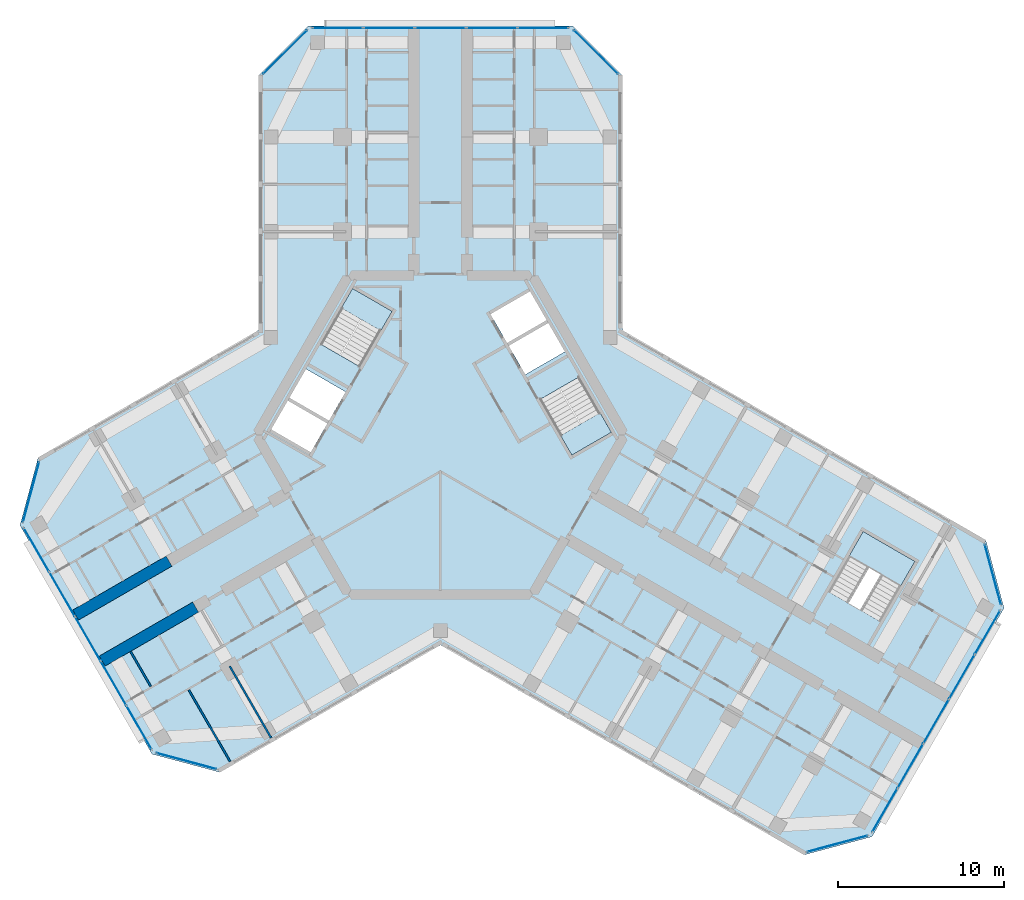
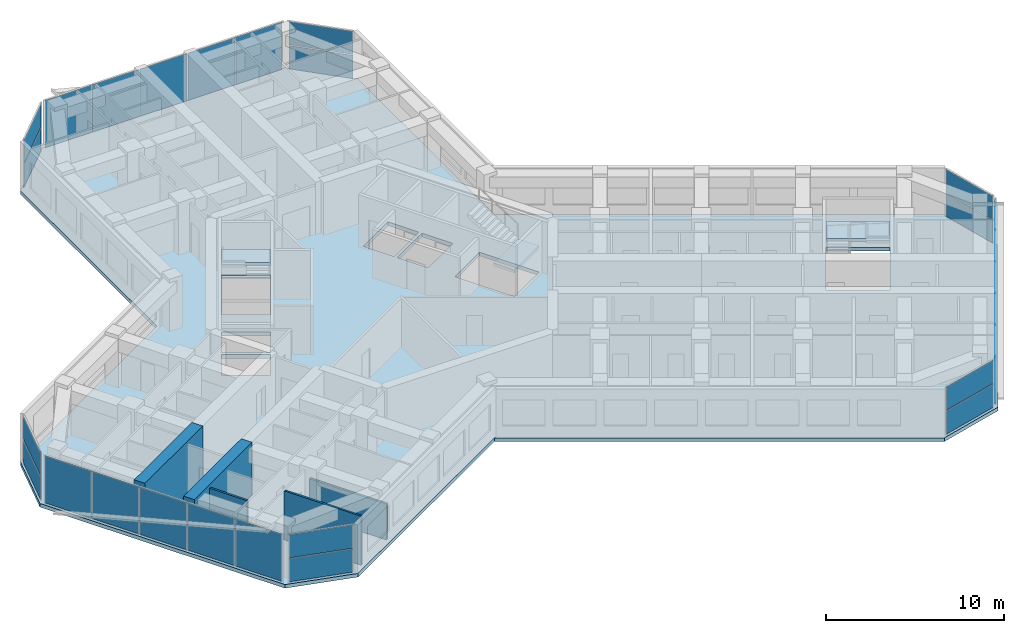
# One storey, part 7 of 16: 27 plates, 5 walls, 4 slabs, 12 elements without a shape of their own.
"""IFC4 building model written with IfcOpenShell, lengths in metres."""

from ifc_helpers import new_model, si_unit, direction, frame, frame_2d, origin, origin_2d, place, context, subcontext, project, spatial, polyline, rectangle, outline, extrude, material, layer, layer_set, type_object, element, aggregate, save


model = new_model("IFC4")

# Units and contexts
model_context = context("Model", 3, precision=1e-05, world=origin(), true_north=direction((0.0, 1.0)))
body_context = subcontext(model_context, "Body", "Model", "MODEL_VIEW")
ifc_project = project(units=[si_unit("LENGTHUNIT", "METRE"), si_unit("AREAUNIT", "SQUARE_METRE"), si_unit("VOLUMEUNIT", "CUBIC_METRE"), si_unit("PLANEANGLEUNIT", "RADIAN"), si_unit("MASSUNIT", "GRAM", prefix="KILO")], contexts=[model_context])

# Site, building, storey
site_placement = place(None, origin())
site = spatial("IfcSite", under=ifc_project, at=site_placement, CompositionType="ELEMENT")
building_placement = place(site_placement, origin())
building = spatial("IfcBuilding", under=site, at=building_placement, Name="Kosmar Iwan School Tower", CompositionType="ELEMENT")
storey_placement = place(building_placement, frame((0.0, 0.0, 231.60009765625)))
storey = spatial("IfcBuildingStorey", under=building, at=storey_placement, Name="L58", CompositionType="ELEMENT", Elevation=231.60009765625)

# Curtain wall, plates
ifc_material_1 = material(Name="Dark glass in black aluminium frame", Category="aluminium")
curtain_wall_type_1 = type_object("IfcCurtainWallType", Name="Chamfer curtain wall dark glass", PredefinedType="USERDEFINED", material=ifc_material_1)
curtain_wall_1_placement = place(storey_placement, origin())
curtain_wall_1 = element("IfcCurtainWall", 1, at=curtain_wall_1_placement, inside=storey, type_object=curtain_wall_type_1, Name="Curtain wall L58-F00", ObjectType="FACETED CURTAIN WALL", PredefinedType="USERDEFINED")
ifc_material_2 = material(Name="Dark glass", Category="glass")
ifc_layer_1 = layer(ifc_material_2, 0.028076171875)
ifc_layer_set_1 = layer_set([ifc_layer_1], Name="Dark glass panel 28")
plate_type = type_object("IfcPlateType", Name="Dark glass panel 28", PredefinedType="CURTAIN_PANEL", material=ifc_layer_set_1)
plate_1_placement = place(storey_placement, frame((23.908203125, -24.61328125, 0.059814453125), z_axis=(0.0, 0.0, 1.0), x_axis=(0.965925875495, 0.258818861462, 0.0)))
plate_1 = element("IfcPlate", 2, at=plate_1_placement, type_object=plate_type, Name="CW2 panel 1.1", PredefinedType="CURTAIN_PANEL", context=body_context, shape_type="SweptSolid", body=[
    extrude(rectangle(XDim=3.718994140625, YDim=0.028076171875, at=origin_2d()), origin(), (0.0, 0.0, 1.0), 1.5849609375),
])
plate_2_placement = place(storey_placement, frame((23.908203125, -24.61328125, 1.704833984375), z_axis=(0.0, 0.0, 1.0), x_axis=(0.965925875495, 0.258818861462, 0.0)))
plate_2 = element("IfcPlate", 3, at=plate_2_placement, type_object=plate_type, Name="CW2 panel 1.2", PredefinedType="CURTAIN_PANEL", context=body_context, shape_type="SweptSolid", body=[
    extrude(rectangle(XDim=3.718994140625, YDim=0.028076171875, at=origin_2d()), origin(), (0.0, 0.0, 1.0), 1.5849609375),
])
aggregate(curtain_wall_1, [plate_1, plate_2])

ifc_material_3 = material(Name="Dark glass in black aluminium frame", Category="aluminium")
curtain_wall_type_2 = type_object("IfcCurtainWallType", Name="Tower curtain wall dark glass", PredefinedType="USERDEFINED", material=ifc_material_3)
curtain_wall_2_placement = place(storey_placement, origin())
curtain_wall_2 = element("IfcCurtainWall", 4, at=curtain_wall_2_placement, inside=storey, type_object=curtain_wall_type_2, Name="Curtain wall L58-F01", ObjectType="UNITISED CURTAIN WALL", PredefinedType="USERDEFINED")
plate_3_placement = place(storey_placement, frame((26.764404296875, -22.592529296875, 0.059814453125), z_axis=(0.0, 0.0, 1.0), x_axis=(0.499999997325, 0.866025405329, 0.0)))
plate_3 = element("IfcPlate", 5, at=plate_3_placement, type_object=plate_type, Name="CW1 panel 1.1", PredefinedType="CURTAIN_PANEL", context=body_context, shape_type="SweptSolid", body=[
    extrude(rectangle(XDim=3.00927734375, YDim=0.028076171875, at=origin_2d()), origin(), (0.0, 0.0, 1.0), 3.22998046875),
])
plate_4_placement = place(storey_placement, frame((28.306640625, -19.921630859375, 0.059814453125), z_axis=(0.0, 0.0, 1.0), x_axis=(0.499999997325, 0.866025405329, 0.0)))
plate_4 = element("IfcPlate", 6, at=plate_4_placement, type_object=plate_type, Name="CW1 panel 2.1", PredefinedType="CURTAIN_PANEL", context=body_context, shape_type="SweptSolid", body=[
    extrude(rectangle(XDim=3.039306640625, YDim=0.028076171875, at=origin_2d()), origin(), (0.0, 0.0, 1.0), 3.22998046875),
])
plate_5_placement = place(storey_placement, frame((29.856201171875, -17.237548828125, 0.059814453125), z_axis=(0.0, 0.0, 1.0), x_axis=(0.499999997325, 0.866025405329, 0.0)))
plate_5 = element("IfcPlate", 7, at=plate_5_placement, type_object=plate_type, Name="CW1 panel 3.1", PredefinedType="CURTAIN_PANEL", context=body_context, shape_type="SweptSolid", body=[
    extrude(rectangle(XDim=3.039306640625, YDim=0.028076171875, at=origin_2d()), origin(), (0.0, 0.0, 1.0), 3.22998046875),
])
plate_6_placement = place(storey_placement, frame((31.40576171875, -14.553466796875, 0.059814453125), z_axis=(0.0, 0.0, 1.0), x_axis=(0.499999997325, 0.866025405329, 0.0)))
plate_6 = element("IfcPlate", 8, at=plate_6_placement, type_object=plate_type, Name="CW1 panel 4.1", PredefinedType="CURTAIN_PANEL", context=body_context, shape_type="SweptSolid", body=[
    extrude(rectangle(XDim=3.039306640625, YDim=0.028076171875, at=origin_2d()), origin(), (0.0, 0.0, 1.0), 3.22998046875),
])
plate_7_placement = place(storey_placement, frame((32.947998046875, -11.88232421875, 0.059814453125), z_axis=(0.0, 0.0, 1.0), x_axis=(0.499999997325, 0.866025405329, 0.0)))
plate_7 = element("IfcPlate", 9, at=plate_7_placement, type_object=plate_type, Name="CW1 panel 5.1", PredefinedType="CURTAIN_PANEL", context=body_context, shape_type="SweptSolid", body=[
    extrude(rectangle(XDim=3.00927734375, YDim=0.028076171875, at=origin_2d()), origin(), (0.0, 0.0, 1.0), 3.22998046875),
])
aggregate(curtain_wall_2, [plate_3, plate_4, plate_5, plate_6, plate_7])

curtain_wall_3_placement = place(storey_placement, origin())
curtain_wall_3 = element("IfcCurtainWall", 10, at=curtain_wall_3_placement, inside=storey, type_object=curtain_wall_type_1, Name="Curtain wall L58-F02", ObjectType="FACETED CURTAIN WALL", PredefinedType="USERDEFINED")
plate_8_placement = place(storey_placement, frame((33.269775390625, -8.3984375, 0.059814453125), z_axis=(0.0, 0.0, 1.0), x_axis=(-0.258818861462, 0.965925875495, 0.0)))
plate_8 = element("IfcPlate", 11, at=plate_8_placement, type_object=plate_type, Name="CW2 panel 1.1", PredefinedType="CURTAIN_PANEL", context=body_context, shape_type="SweptSolid", body=[
    extrude(rectangle(XDim=3.718994140625, YDim=0.028076171875, at=origin_2d()), origin(), (0.0, 0.0, 1.0), 1.5849609375),
])
plate_9_placement = place(storey_placement, frame((33.269775390625, -8.3984375, 1.704833984375), z_axis=(0.0, 0.0, 1.0), x_axis=(-0.258818861462, 0.965925875495, 0.0)))
plate_9 = element("IfcPlate", 12, at=plate_9_placement, type_object=plate_type, Name="CW2 panel 1.2", PredefinedType="CURTAIN_PANEL", context=body_context, shape_type="SweptSolid", body=[
    extrude(rectangle(XDim=3.718994140625, YDim=0.028076171875, at=origin_2d()), origin(), (0.0, 0.0, 1.0), 1.5849609375),
])
aggregate(curtain_wall_3, [plate_8, plate_9])

curtain_wall_4_placement = place(storey_placement, origin())
curtain_wall_4 = element("IfcCurtainWall", 13, at=curtain_wall_4_placement, inside=storey, type_object=curtain_wall_type_1, Name="Curtain wall L58-F05", ObjectType="FACETED CURTAIN WALL", PredefinedType="USERDEFINED")
plate_10_placement = place(storey_placement, frame((9.361572265625, 23.0615234375, 0.059814453125), z_axis=(0.0, 0.0, 1.0), x_axis=(-0.707106781187, 0.707106781187, 0.0)))
plate_10 = element("IfcPlate", 14, at=plate_10_placement, type_object=plate_type, Name="CW2 panel 1.1", PredefinedType="CURTAIN_PANEL", context=body_context, shape_type="SweptSolid", body=[
    extrude(rectangle(XDim=3.718994140625, YDim=0.028076171875, at=origin_2d()), origin(), (0.0, 0.0, 1.0), 1.5849609375),
])
plate_11_placement = place(storey_placement, frame((9.361572265625, 23.0615234375, 1.704833984375), z_axis=(0.0, 0.0, 1.0), x_axis=(-0.707106781187, 0.707106781187, 0.0)))
plate_11 = element("IfcPlate", 15, at=plate_11_placement, type_object=plate_type, Name="CW2 panel 1.2", PredefinedType="CURTAIN_PANEL", context=body_context, shape_type="SweptSolid", body=[
    extrude(rectangle(XDim=3.718994140625, YDim=0.028076171875, at=origin_2d()), origin(), (0.0, 0.0, 1.0), 1.5849609375),
])
aggregate(curtain_wall_4, [plate_10, plate_11])

curtain_wall_5_placement = place(storey_placement, origin())
curtain_wall_5 = element("IfcCurtainWall", 16, at=curtain_wall_5_placement, inside=storey, type_object=curtain_wall_type_2, Name="Curtain wall L58-F06", ObjectType="UNITISED CURTAIN WALL", PredefinedType="USERDEFINED")
plate_12_placement = place(storey_placement, frame((6.18359375, 24.52490234375, 0.059814453125), z_axis=(0.0, 0.0, 1.0), x_axis=(-1.0, 0.0, 0.0)))
plate_12 = element("IfcPlate", 17, at=plate_12_placement, type_object=plate_type, Name="CW1 panel 1.1", PredefinedType="CURTAIN_PANEL", context=body_context, shape_type="SweptSolid", body=[
    extrude(rectangle(XDim=3.00927734375, YDim=0.028076171875, at=origin_2d()), origin(), (0.0, 0.0, 1.0), 3.22998046875),
])
plate_13_placement = place(storey_placement, frame((3.099365234375, 24.52490234375, 0.059814453125), z_axis=(0.0, 0.0, 1.0), x_axis=(-1.0, 0.0, 0.0)))
plate_13 = element("IfcPlate", 18, at=plate_13_placement, type_object=plate_type, Name="CW1 panel 2.1", PredefinedType="CURTAIN_PANEL", context=body_context, shape_type="SweptSolid", body=[
    extrude(rectangle(XDim=3.039306640625, YDim=0.028076171875, at=origin_2d()), origin(), (0.0, 0.0, 1.0), 3.22998046875),
])
plate_14_placement = place(storey_placement, frame((0.0, 24.52490234375, 0.059814453125), z_axis=(0.0, 0.0, 1.0), x_axis=(-1.0, 0.0, 0.0)))
plate_14 = element("IfcPlate", 19, at=plate_14_placement, type_object=plate_type, Name="CW1 panel 3.1", PredefinedType="CURTAIN_PANEL", context=body_context, shape_type="SweptSolid", body=[
    extrude(rectangle(XDim=3.039306640625, YDim=0.028076171875, at=origin_2d()), origin(), (0.0, 0.0, 1.0), 3.22998046875),
])
plate_15_placement = place(storey_placement, frame((-3.099365234375, 24.52490234375, 0.059814453125), z_axis=(0.0, 0.0, 1.0), x_axis=(-1.0, 0.0, 0.0)))
plate_15 = element("IfcPlate", 20, at=plate_15_placement, type_object=plate_type, Name="CW1 panel 4.1", PredefinedType="CURTAIN_PANEL", context=body_context, shape_type="SweptSolid", body=[
    extrude(rectangle(XDim=3.039306640625, YDim=0.028076171875, at=origin_2d()), origin(), (0.0, 0.0, 1.0), 3.22998046875),
])
plate_16_placement = place(storey_placement, frame((-6.18359375, 24.52490234375, 0.059814453125), z_axis=(0.0, 0.0, 1.0), x_axis=(-1.0, 0.0, 0.0)))
plate_16 = element("IfcPlate", 21, at=plate_16_placement, type_object=plate_type, Name="CW1 panel 5.1", PredefinedType="CURTAIN_PANEL", context=body_context, shape_type="SweptSolid", body=[
    extrude(rectangle(XDim=3.00927734375, YDim=0.028076171875, at=origin_2d()), origin(), (0.0, 0.0, 1.0), 3.22998046875),
])
aggregate(curtain_wall_5, [plate_12, plate_13, plate_14, plate_15, plate_16])

curtain_wall_6_placement = place(storey_placement, origin())
curtain_wall_6 = element("IfcCurtainWall", 22, at=curtain_wall_6_placement, inside=storey, type_object=curtain_wall_type_1, Name="Curtain wall L58-F07", ObjectType="FACETED CURTAIN WALL", PredefinedType="USERDEFINED")
plate_17_placement = place(storey_placement, frame((-9.361572265625, 23.0615234375, 0.059814453125), z_axis=(0.0, 0.0, 1.0), x_axis=(-0.707106781187, -0.707106781187, 0.0)))
plate_17 = element("IfcPlate", 23, at=plate_17_placement, type_object=plate_type, Name="CW2 panel 1.1", PredefinedType="CURTAIN_PANEL", context=body_context, shape_type="SweptSolid", body=[
    extrude(rectangle(XDim=3.718994140625, YDim=0.028076171875, at=origin_2d()), origin(), (0.0, 0.0, 1.0), 1.5849609375),
])
plate_18_placement = place(storey_placement, frame((-9.361572265625, 23.0615234375, 1.704833984375), z_axis=(0.0, 0.0, 1.0), x_axis=(-0.707106781187, -0.707106781187, 0.0)))
plate_18 = element("IfcPlate", 24, at=plate_18_placement, type_object=plate_type, Name="CW2 panel 1.2", PredefinedType="CURTAIN_PANEL", context=body_context, shape_type="SweptSolid", body=[
    extrude(rectangle(XDim=3.718994140625, YDim=0.028076171875, at=origin_2d()), origin(), (0.0, 0.0, 1.0), 1.5849609375),
])
aggregate(curtain_wall_6, [plate_17, plate_18])

curtain_wall_7_placement = place(storey_placement, origin())
curtain_wall_7 = element("IfcCurtainWall", 25, at=curtain_wall_7_placement, inside=storey, type_object=curtain_wall_type_1, Name="Curtain wall L58-F10", ObjectType="FACETED CURTAIN WALL", PredefinedType="USERDEFINED")
plate_19_placement = place(storey_placement, frame((-24.65283203125, -3.42333984375, 0.059814453125), z_axis=(0.0, 0.0, 1.0), x_axis=(-0.258818861462, -0.965925875495, 0.0)))
plate_19 = element("IfcPlate", 26, at=plate_19_placement, type_object=plate_type, Name="CW2 panel 1.1", PredefinedType="CURTAIN_PANEL", context=body_context, shape_type="SweptSolid", body=[
    extrude(rectangle(XDim=3.718994140625, YDim=0.028076171875, at=origin_2d()), origin(), (0.0, 0.0, 1.0), 1.5849609375),
])
plate_20_placement = place(storey_placement, frame((-24.65283203125, -3.42333984375, 1.704833984375), z_axis=(0.0, 0.0, 1.0), x_axis=(-0.258818861462, -0.965925875495, 0.0)))
plate_20 = element("IfcPlate", 27, at=plate_20_placement, type_object=plate_type, Name="CW2 panel 1.2", PredefinedType="CURTAIN_PANEL", context=body_context, shape_type="SweptSolid", body=[
    extrude(rectangle(XDim=3.718994140625, YDim=0.028076171875, at=origin_2d()), origin(), (0.0, 0.0, 1.0), 1.5849609375),
])
aggregate(curtain_wall_7, [plate_19, plate_20])

curtain_wall_8_placement = place(storey_placement, origin())
curtain_wall_8 = element("IfcCurtainWall", 28, at=curtain_wall_8_placement, inside=storey, type_object=curtain_wall_type_2, Name="Curtain wall L58-F11", ObjectType="UNITISED CURTAIN WALL", PredefinedType="USERDEFINED")
plate_21_placement = place(storey_placement, frame((-24.3310546875, -6.907470703125, 0.059814453125), z_axis=(0.0, 0.0, 1.0), x_axis=(0.499999997325, -0.866025405329, 0.0)))
plate_21 = element("IfcPlate", 29, at=plate_21_placement, type_object=plate_type, Name="CW1 panel 1.1", PredefinedType="CURTAIN_PANEL", context=body_context, shape_type="SweptSolid", body=[
    extrude(rectangle(XDim=3.00927734375, YDim=0.028076171875, at=origin_2d()), origin(), (0.0, 0.0, 1.0), 3.22998046875),
])
plate_22_placement = place(storey_placement, frame((-22.788818359375, -9.578369140625, 0.059814453125), z_axis=(0.0, 0.0, 1.0), x_axis=(0.499999997325, -0.866025405329, 0.0)))
plate_22 = element("IfcPlate", 30, at=plate_22_placement, type_object=plate_type, Name="CW1 panel 2.1", PredefinedType="CURTAIN_PANEL", context=body_context, shape_type="SweptSolid", body=[
    extrude(rectangle(XDim=3.039306640625, YDim=0.028076171875, at=origin_2d()), origin(), (0.0, 0.0, 1.0), 3.22998046875),
])
plate_23_placement = place(storey_placement, frame((-21.2392578125, -12.262451171875, 0.059814453125), z_axis=(0.0, 0.0, 1.0), x_axis=(0.499999997325, -0.866025405329, 0.0)))
plate_23 = element("IfcPlate", 31, at=plate_23_placement, type_object=plate_type, Name="CW1 panel 3.1", PredefinedType="CURTAIN_PANEL", context=body_context, shape_type="SweptSolid", body=[
    extrude(rectangle(XDim=3.039306640625, YDim=0.028076171875, at=origin_2d()), origin(), (0.0, 0.0, 1.0), 3.22998046875),
])
plate_24_placement = place(storey_placement, frame((-19.689697265625, -14.946533203125, 0.059814453125), z_axis=(0.0, 0.0, 1.0), x_axis=(0.499999997325, -0.866025405329, 0.0)))
plate_24 = element("IfcPlate", 32, at=plate_24_placement, type_object=plate_type, Name="CW1 panel 4.1", PredefinedType="CURTAIN_PANEL", context=body_context, shape_type="SweptSolid", body=[
    extrude(rectangle(XDim=3.039306640625, YDim=0.028076171875, at=origin_2d()), origin(), (0.0, 0.0, 1.0), 3.22998046875),
])
plate_25_placement = place(storey_placement, frame((-18.1474609375, -17.61767578125, 0.059814453125), z_axis=(0.0, 0.0, 1.0), x_axis=(0.499999997325, -0.866025405329, 0.0)))
plate_25 = element("IfcPlate", 33, at=plate_25_placement, type_object=plate_type, Name="CW1 panel 5.1", PredefinedType="CURTAIN_PANEL", context=body_context, shape_type="SweptSolid", body=[
    extrude(rectangle(XDim=3.00927734375, YDim=0.028076171875, at=origin_2d()), origin(), (0.0, 0.0, 1.0), 3.22998046875),
])
aggregate(curtain_wall_8, [plate_21, plate_22, plate_23, plate_24, plate_25])

curtain_wall_9_placement = place(storey_placement, origin())
curtain_wall_9 = element("IfcCurtainWall", 34, at=curtain_wall_9_placement, inside=storey, type_object=curtain_wall_type_1, Name="Curtain wall L58-F12", ObjectType="FACETED CURTAIN WALL", PredefinedType="USERDEFINED")
plate_26_placement = place(storey_placement, frame((-15.291015625, -19.63818359375, 0.059814453125), z_axis=(0.0, 0.0, 1.0), x_axis=(0.965925875495, -0.258818861462, 0.0)))
plate_26 = element("IfcPlate", 35, at=plate_26_placement, type_object=plate_type, Name="CW2 panel 1.1", PredefinedType="CURTAIN_PANEL", context=body_context, shape_type="SweptSolid", body=[
    extrude(rectangle(XDim=3.718994140625, YDim=0.028076171875, at=origin_2d()), origin(), (0.0, 0.0, 1.0), 1.5849609375),
])
plate_27_placement = place(storey_placement, frame((-15.291015625, -19.63818359375, 1.704833984375), z_axis=(0.0, 0.0, 1.0), x_axis=(0.965925875495, -0.258818861462, 0.0)))
plate_27 = element("IfcPlate", 36, at=plate_27_placement, type_object=plate_type, Name="CW2 panel 1.2", PredefinedType="CURTAIN_PANEL", context=body_context, shape_type="SweptSolid", body=[
    extrude(rectangle(XDim=3.718994140625, YDim=0.028076171875, at=origin_2d()), origin(), (0.0, 0.0, 1.0), 1.5849609375),
])
aggregate(curtain_wall_9, [plate_26, plate_27])

# Stair, slab
ifc_material_4 = material(Name="Concrete C35/45", Category="concrete")
stair_type_1 = type_object("IfcStairType", Name="Escape stair 3600", PredefinedType="HALF_TURN_STAIR", material=ifc_material_4)
stair_1_placement = place(storey_placement, origin())
stair_1 = element("IfcStair", 37, at=stair_1_placement, inside=storey, type_object=stair_type_1, Name="Stair WS3 L58", PredefinedType="HALF_TURN_STAIR")
ifc_material_5 = material(Name="Concrete C35/45", Category="concrete")
ifc_layer_2 = layer(ifc_material_5, 0.199951171875)
ifc_layer_set_2 = layer_set([ifc_layer_2], Name="Escape stair landing 200")
slab_type_1 = type_object("IfcSlabType", Name="Escape stair landing 200", PredefinedType="LANDING", material=ifc_layer_set_2)
slab_1_placement = place(storey_placement, frame((0.0, 0.0, 1.599853515625)))
slab_1 = element("IfcSlab", 38, at=slab_1_placement, type_object=slab_type_1, Name="WS3 landing 1", PredefinedType="LANDING", context=body_context, shape_type="SweptSolid", body=[
    extrude(outline(polyline([(24.607421875, -7.27880859375), (27.72509765625, -9.078857421875), (28.574951171875, -7.606689453125), (25.457275390625, -5.806640625), (24.607421875, -7.27880859375)])), origin(), (0.0, 0.0, 1.0), 0.199951171875),
])
aggregate(stair_1, [slab_1])

# Slab
ifc_material_6 = material(Name="Concrete C35/45", Category="concrete")
ifc_layer_3 = layer(ifc_material_6, 0.25)
ifc_layer_set_3 = layer_set([ifc_layer_3], Name="Floor slab 250")
slab_type_2 = type_object("IfcSlabType", Name="Floor slab 250", PredefinedType="FLOOR", material=ifc_layer_set_3)
slab_2_placement = place(storey_placement, frame((0.0, 0.0, -0.25)))
element("IfcSlab", 39, at=slab_2_placement, inside=storey, type_object=slab_type_2, Name="L58 floor slab", PredefinedType="FLOOR", context=body_context, shape_type="SweptSolid", body=[
    extrude(outline(polyline([(21.891357421875, -25.282958984375), (25.989501953125, -24.184814453125), (33.939453125, -10.4150390625), (32.84130859375, -6.317138671875), (10.949951171875, 6.322021484375), (10.949951171875, 21.64990234375), (7.949951171875, 24.64990234375), (-7.949951171875, 24.64990234375), (-10.949951171875, 21.64990234375), (-10.949951171875, 6.322021484375), (-24.224365234375, -1.342041015625), (-25.322509765625, -5.440185546875), (-17.37255859375, -19.2099609375), (-13.2744140625, -20.307861328125), (0.0, -12.64404296875), (21.891357421875, -25.282958984375)]), holes=[polyline([(7.91259765625, -1.205078125), (10.294189453125, 0.169921875), (8.3642578125, 3.5126953125), (5.982666015625, 2.1376953125), (7.91259765625, -1.205078125)]), polyline([(-2.91259765625, 7.455078125), (-5.294189453125, 8.830078125), (-7.22412109375, 5.4873046875), (-4.8427734375, 4.1123046875), (-2.91259765625, 7.455078125)]), polyline([(-5.712646484375, 2.60546875), (-8.09423828125, 3.98046875), (-9.09423828125, 2.248291015625), (-6.712646484375, 0.873291015625), (-5.712646484375, 2.60546875)]), polyline([(-6.812744140625, 0.7001953125), (-9.1943359375, 2.0751953125), (-10.1943359375, 0.343017578125), (-7.812744140625, -1.031982421875), (-6.812744140625, 0.7001953125)]), polyline([(5.112548828125, 3.64453125), (7.494140625, 5.01953125), (6.494140625, 6.751708984375), (4.112548828125, 5.376708984375), (5.112548828125, 3.64453125)]), polyline([(4.0126953125, 5.5498046875), (6.394287109375, 6.9248046875), (5.394287109375, 8.656982421875), (3.0126953125, 7.281982421875), (4.0126953125, 5.5498046875)]), polyline([(23.367431640625, -9.426513671875), (26.485107421875, -11.2265625), (28.574951171875, -7.606689453125), (25.457275390625, -5.806640625), (23.367431640625, -9.426513671875)])]), origin(), (0.0, 0.0, 1.0), 0.25),
])

# Stair, slab
ifc_material_7 = material(Name="Concrete C35/45", Category="concrete")
stair_type_2 = type_object("IfcStairType", Name="Core stair 2750", PredefinedType="HALF_TURN_STAIR", material=ifc_material_7)
stair_2_placement = place(storey_placement, origin())
stair_2 = element("IfcStair", 40, at=stair_2_placement, inside=storey, type_object=stair_type_2, Name="Stair ST2 L58", PredefinedType="HALF_TURN_STAIR")
ifc_material_8 = material(Name="Concrete C35/45", Category="concrete")
ifc_layer_4 = layer(ifc_material_8, 0.199951171875)
ifc_layer_set_4 = layer_set([ifc_layer_4], Name="Stair landing 200")
slab_type_3 = type_object("IfcSlabType", Name="Stair landing 200", PredefinedType="LANDING", material=ifc_layer_set_4)
slab_3_placement = place(storey_placement, frame((0.0, 0.0, 1.599853515625)))
slab_3 = element("IfcSlab", 41, at=slab_3_placement, type_object=slab_type_3, Name="ST2 landing 1", PredefinedType="LANDING", context=body_context, shape_type="SweptSolid", body=[
    extrude(outline(polyline([(-2.91259765625, 7.455078125), (-5.294189453125, 8.830078125), (-5.97412109375, 7.65234375), (-3.5927734375, 6.27734375), (-2.91259765625, 7.455078125)])), origin(), (0.0, 0.0, 1.0), 0.199951171875),
])
aggregate(stair_2, [slab_3])

stair_3_placement = place(storey_placement, origin())
stair_3 = element("IfcStair", 42, at=stair_3_placement, inside=storey, type_object=stair_type_2, Name="Stair ST1 L58", PredefinedType="HALF_TURN_STAIR")
slab_4_placement = place(storey_placement, frame((0.0, 0.0, 1.599853515625)))
slab_4 = element("IfcSlab", 43, at=slab_4_placement, type_object=slab_type_3, Name="ST1 landing 1", PredefinedType="LANDING", context=body_context, shape_type="SweptSolid", body=[
    extrude(outline(polyline([(7.91259765625, -1.205078125), (10.294189453125, 0.169921875), (9.6142578125, 1.34765625), (7.232666015625, -0.02734375), (7.91259765625, -1.205078125)])), origin(), (0.0, 0.0, 1.0), 0.199951171875),
])
aggregate(stair_3, [slab_4])

# Walls
ifc_material_9 = material(Name="Concrete C50/60", Category="concrete")
ifc_layer_5 = layer(ifc_material_9, 0.699951171875)
ifc_layer_set_5 = layer_set([ifc_layer_5], Name="Corridor buttress wall 700")
wall_type_1 = type_object("IfcWallType", Name="Corridor buttress wall 700", PredefinedType="SHEAR", material=ifc_layer_set_5)
wall_1_placement = place(storey_placement, frame((-14.7451171875, -10.360595703125, 0.0), z_axis=(0.0, 0.0, 1.0), x_axis=(-0.866027848477, -0.499995765644, 0.0)))
element("IfcWall", 44, at=wall_1_placement, inside=storey, type_object=wall_type_1, Name="Corridor wall BL bay 2", PredefinedType="SHEAR", context=body_context, shape_type="SweptSolid", body=[
    extrude(rectangle(XDim=6.4951171875, YDim=0.699951171875, at=frame_2d((3.24755859375, 0.0))), origin(), (0.0, 0.0, 1.0), 3.599853515625),
])
wall_2_placement = place(storey_placement, frame((-16.34521484375, -7.58935546875, 0.0), z_axis=(0.0, 0.0, 1.0), x_axis=(-0.866018451174, -0.500012042081, 0.0)))
element("IfcWall", 45, at=wall_2_placement, inside=storey, type_object=wall_type_1, Name="Corridor wall BR bay 2", PredefinedType="SHEAR", context=body_context, shape_type="SweptSolid", body=[
    extrude(rectangle(XDim=6.494873046875, YDim=0.699951171875, at=frame_2d((3.24755859375, 0.0))), origin(), (0.0, 0.0, 1.0), 3.599853515625),
])
ifc_material_10 = material(Name="Gypsum board on steel studs", Category="steel")
ifc_layer_6 = layer(ifc_material_10, 0.1201171875)
ifc_layer_set_6 = layer_set([ifc_layer_6], Name="Dwelling partition 120")
wall_type_2 = type_object("IfcWallType", Name="Dwelling partition 120", PredefinedType="PARTITIONING", material=ifc_layer_set_6)
wall_3_placement = place(storey_placement, frame((-12.690185546875, -13.919921875, 0.0), z_axis=(0.0, 0.0, 1.0), x_axis=(0.500011847778, -0.866018563358, 0.0)))
element("IfcWall", 46, at=wall_3_placement, inside=storey, type_object=wall_type_2, Name="Partition L58-BL1-X2", PredefinedType="PARTITIONING", context=body_context, shape_type="SweptSolid", body=[
    extrude(rectangle(XDim=4.990234375, YDim=0.1201171875, at=frame_2d((2.4951171875, 0.0))), origin(), (0.0, 0.0, 1.0), 2.449951171875),
])
wall_4_placement = place(storey_placement, frame((-15.158447265625, -15.344970703125, 0.0), z_axis=(0.0, 0.0, 1.0), x_axis=(0.500011847778, -0.866018563358, 0.0)))
element("IfcWall", 47, at=wall_4_placement, inside=storey, type_object=wall_type_2, Name="Partition L58-BL1-X3", PredefinedType="PARTITIONING", context=body_context, shape_type="SweptSolid", body=[
    extrude(rectangle(XDim=4.990234375, YDim=0.1201171875, at=frame_2d((2.4951171875, 0.0))), origin(), (0.0, 0.0, 1.0), 3.349853515625),
])
wall_5_placement = place(storey_placement, frame((-18.665283203125, -13.028076171875, 0.0), z_axis=(0.0, 0.0, 1.0), x_axis=(0.500002508028, -0.866023955769, 0.0)))
element("IfcWall", 48, at=wall_5_placement, inside=storey, type_object=wall_type_2, Name="Partition L58-BL1-Y6", PredefinedType="PARTITIONING", context=body_context, shape_type="SweptSolid", body=[
    extrude(rectangle(XDim=2.43994140625, YDim=0.1201171875, at=frame_2d((1.219970703125, 0.0))), origin(), (0.0, 0.0, 1.0), 3.349853515625),
])

save(model, "model.ifc")
